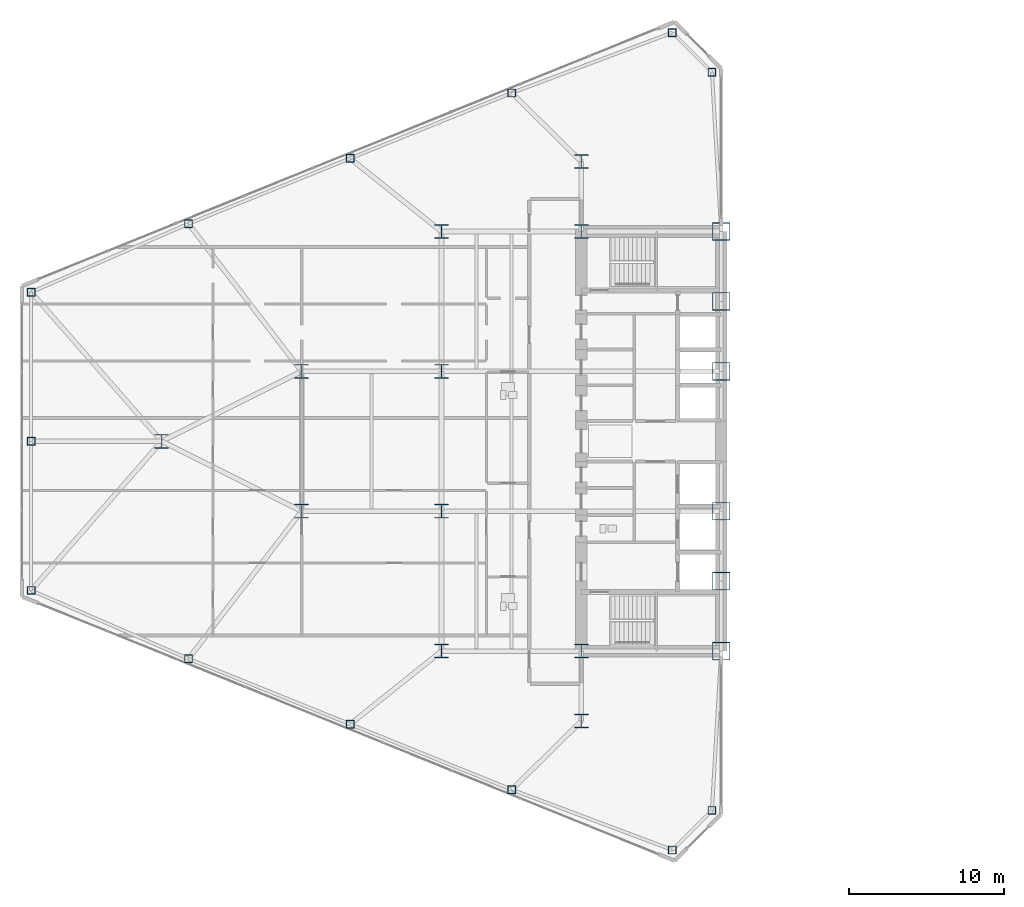
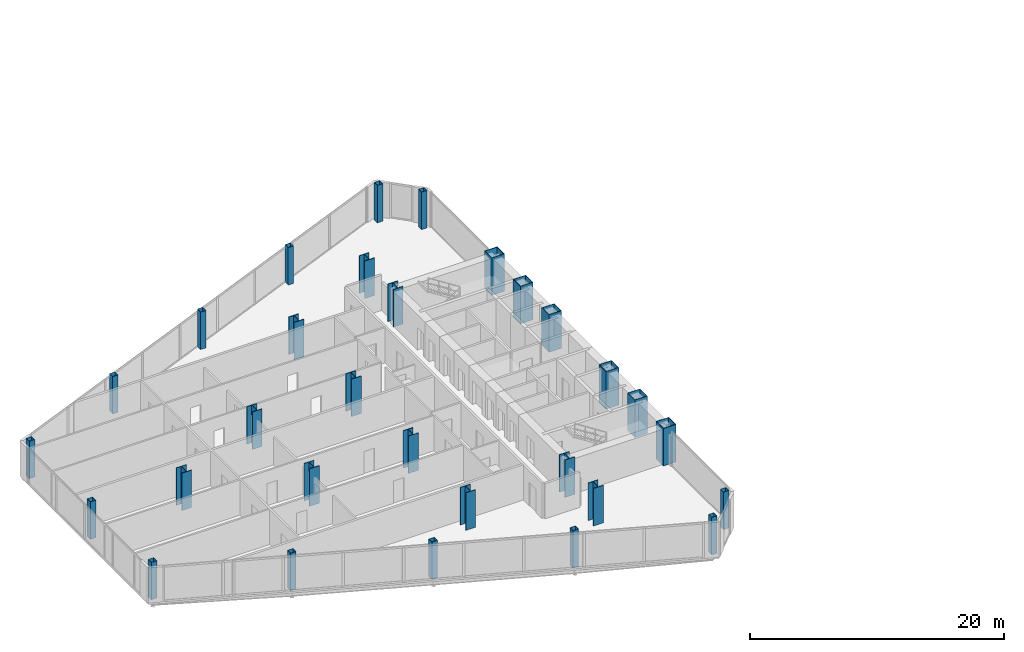
# One storey, part 1 of 25: 30 columns.
"""IFC4 building model written with IfcOpenShell, lengths in metres."""

from ifc_helpers import new_model, si_unit, direction, frame, origin, origin_2d, place, context, subcontext, project, spatial, hollow_rectangle, i_section, extrude, source, transform, mapped, material, material_profile, profile_set, type_object, type_shapes, element, save


model = new_model("IFC4")

# Units and contexts
model_context = context("Model", 3, precision=1e-05, world=origin(), true_north=direction((0.0, 1.0)))
body_context = subcontext(model_context, "Body", "Model", "MODEL_VIEW")
ifc_project = project(units=[si_unit("LENGTHUNIT", "METRE"), si_unit("AREAUNIT", "SQUARE_METRE"), si_unit("VOLUMEUNIT", "CUBIC_METRE"), si_unit("PLANEANGLEUNIT", "RADIAN"), si_unit("MASSUNIT", "GRAM", prefix="KILO")], contexts=[model_context])

# Site, building, storey
site_placement = place(None, origin())
site = spatial("IfcSite", under=ifc_project, at=site_placement, CompositionType="ELEMENT")
building_placement = place(site_placement, origin())
building = spatial("IfcBuilding", under=site, at=building_placement, Name="Seokmaru Belvedere", CompositionType="ELEMENT")
storey_placement = place(building_placement, frame((0.0, 0.0, 54.89990234375)))
storey = spatial("IfcBuildingStorey", under=building, at=storey_placement, Name="L14", CompositionType="ELEMENT", Elevation=54.89990234375)

# Columns
ifc_material_1 = material(Name="Steel HSA650 (650 MPa)", Category="steel")
ifc_material_profile_1 = material_profile(ifc_material_1, hollow_rectangle(XDim=1.14990234375, YDim=1.14990234375, WallThickness=0.048095703125, at=origin_2d()), Name="BOX-1150x1150x48")
ifc_profile_set_1 = profile_set([ifc_material_profile_1], Name="Steel HSA650 (650 MPa)")
column_type_1 = type_object("IfcColumnType", Name="Portal Spine Column BOX-1150", PredefinedType="COLUMN", material=ifc_profile_set_1)
shared_shape_1 = source(origin(), body_context, "Body", "SweptSolid", [
    extrude(hollow_rectangle(XDim=1.14990234375, YDim=1.14990234375, WallThickness=0.048095703125, at=origin_2d()), origin(), (0.0, 0.0, 1.0), 3.60009765625),
])
type_shapes(column_type_1, [shared_shape_1])
for number, where, z_axis, x_axis, name in (
    (1, (-27.5, -13.5, 0.0), (0.0, 0.0, 1.0), (1.0, 0.0, 0.0), "L14 Column WS1"),
    (2, (-27.5, -9.0, 0.0), (0.0, 0.0, 1.0), (1.0, 0.0, 0.0), "L14 Column WS2"),
    (3, (-27.5, -4.5, 0.0), (0.0, 0.0, 1.0), (1.0, 0.0, 0.0), "L14 Column WS3"),
    (4, (-27.5, 4.5, 0.0), (0.0, 0.0, 1.0), (1.0, 0.0, 0.0), "L14 Column WS4"),
    (5, (-27.5, 9.0, 0.0), (0.0, 0.0, 1.0), (1.0, 0.0, 0.0), "L14 Column WS5"),
    (6, (-27.5, 13.5, 0.0), (0.0, 0.0, 1.0), (1.0, 0.0, 0.0), "L14 Column WS6"),
):
    element("IfcColumn", number, at=place(storey_placement, frame(where, z_axis=z_axis, x_axis=x_axis)), inside=storey, type_object=column_type_1, Name=name, PredefinedType="COLUMN", context=body_context, shape_type="MappedRepresentation", body=[
        mapped(shared_shape_1, transform((0.0, 0.0, 0.0), scale=1.0)),
    ])
ifc_material_profile_2 = material_profile(ifc_material_1, i_section(OverallWidth=0.89990234375, OverallDepth=0.89990234375, WebThickness=0.035888671875, FlangeThickness=0.054931640625, at=origin_2d()), Name="H-900x900x36x55")
ifc_profile_set_2 = profile_set([ifc_material_profile_2], Name="Steel HSA650 (650 MPa)")
column_type_2 = type_object("IfcColumnType", Name="Lower Interior Column H-900", PredefinedType="COLUMN", material=ifc_profile_set_2)
shared_shape_2 = source(origin(), body_context, "Body", "SweptSolid", [
    extrude(i_section(OverallWidth=0.89990234375, OverallDepth=0.89990234375, WebThickness=0.035888671875, FlangeThickness=0.054931640625, at=origin_2d()), origin(), (0.0, 0.0, 1.0), 3.60009765625),
])
type_shapes(column_type_2, [shared_shape_2])
for number, where, z_axis, x_axis, name in (
    (7, (-36.5, -18.0, 0.0), (0.0, 0.0, 1.0), (1.0, 0.0, 0.0), "L14 Column WC1"),
    (8, (-36.5, -13.5, 0.0), (0.0, 0.0, 1.0), (1.0, 0.0, 0.0), "L14 Column WC2"),
    (9, (-36.5, 13.5, 0.0), (0.0, 0.0, 1.0), (1.0, 0.0, 0.0), "L14 Column WC3"),
    (10, (-36.5, 18.0, 0.0), (0.0, 0.0, 1.0), (1.0, 0.0, 0.0), "L14 Column WC4"),
    (11, (-45.5, -13.5, 0.0), (0.0, 0.0, 1.0), (1.0, 0.0, 0.0), "L14 Column WG5_1"),
    (12, (-45.5, -4.5, 0.0), (0.0, 0.0, 1.0), (1.0, 0.0, 0.0), "L14 Column WG5_2"),
    (13, (-45.5, 4.5, 0.0), (0.0, 0.0, 1.0), (1.0, 0.0, 0.0), "L14 Column WG5_3"),
    (14, (-45.5, 13.5, 0.0), (0.0, 0.0, 1.0), (1.0, 0.0, 0.0), "L14 Column WG5_4"),
    (15, (-54.5, -4.5, 0.0), (0.0, 0.0, 1.0), (1.0, 0.0, 0.0), "L14 Column WG4P_1"),
    (16, (-54.5, 4.5, 0.0), (0.0, 0.0, 1.0), (1.0, 0.0, 0.0), "L14 Column WG4P_2"),
    (17, (-63.5, 0.0, 0.0), (0.0, 0.0, 1.0), (1.0, 0.0, 0.0), "L14 Column WG3P_1"),
):
    element("IfcColumn", number, at=place(storey_placement, frame(where, z_axis=z_axis, x_axis=x_axis)), inside=storey, type_object=column_type_2, Name=name, PredefinedType="COLUMN", context=body_context, shape_type="MappedRepresentation", body=[
        mapped(shared_shape_2, transform((0.0, 0.0, 0.0), scale=1.0)),
    ])
ifc_material_2 = material(Name="Steel SM355 (355 MPa)", Category="steel")
ifc_material_profile_3 = material_profile(ifc_material_2, hollow_rectangle(XDim=0.5, YDim=0.5, WallThickness=0.02001953125, at=origin_2d()), Name="HSS-500x500x20")
ifc_profile_set_3 = profile_set([ifc_material_profile_3], Name="Steel SM355 (355 MPa)")
column_type_3 = type_object("IfcColumnType", Name="Perimeter Facet Column HSS-500", PredefinedType="COLUMN", material=ifc_profile_set_3)
shared_shape_3 = source(origin(), body_context, "Body", "SweptSolid", [
    extrude(hollow_rectangle(XDim=0.5, YDim=0.5, WallThickness=0.02001953125, at=origin_2d()), origin(), (0.0, 0.0, 1.0), 3.60009765625),
])
type_shapes(column_type_3, [shared_shape_3])
for number, where, z_axis, x_axis, name in (
    (18, (-28.10009765625, -23.75146484375, 0.0), (0.0, 0.0, 1.0), (1.0, 0.0, 0.0), "L14 Column WF1"),
    (19, (-28.10009765625, 23.75146484375, 0.0), (0.0, 0.0, 1.0), (1.0, 0.0, 0.0), "L14 Column WF2"),
    (20, (-30.643310546875, 26.294677734375, 0.0), (0.0, 0.0, 1.0), (1.0, 0.0, 0.0), "L14 Column WF3"),
    (21, (-71.89990234375, 9.595703125, 0.0), (0.0, 0.0, 1.0), (1.0, 0.0, 0.0), "L14 Column WF4"),
    (22, (-71.89990234375, -9.595703125, 0.0), (0.0, 0.0, 1.0), (1.0, 0.0, 0.0), "L14 Column WF5"),
    (23, (-30.643310546875, -26.294677734375, 0.0), (0.0, 0.0, 1.0), (1.0, 0.0, 0.0), "L14 Column WF6"),
    (24, (-40.977294921875, -22.4140625, 0.0), (0.0, 0.0, 1.0), (1.0, 0.0, 0.0), "L14 Column WFLK_S1"),
    (25, (-51.378173828125, -18.2041015625, 0.0), (0.0, 0.0, 1.0), (1.0, 0.0, 0.0), "L14 Column WFLK_S2"),
    (26, (-61.779052734375, -13.994140625, 0.0), (0.0, 0.0, 1.0), (1.0, 0.0, 0.0), "L14 Column WFLK_S3"),
    (27, (-40.977294921875, 22.4140625, 0.0), (0.0, 0.0, 1.0), (1.0, 0.0, 0.0), "L14 Column WFLK_N1"),
    (28, (-51.378173828125, 18.2041015625, 0.0), (0.0, 0.0, 1.0), (1.0, 0.0, 0.0), "L14 Column WFLK_N2"),
    (29, (-61.779052734375, 13.994140625, 0.0), (0.0, 0.0, 1.0), (1.0, 0.0, 0.0), "L14 Column WFLK_N3"),
    (30, (-71.89990234375, 0.0, 0.0), (0.0, 0.0, 1.0), (1.0, 0.0, 0.0), "L14 Column WF_APXM"),
):
    element("IfcColumn", number, at=place(storey_placement, frame(where, z_axis=z_axis, x_axis=x_axis)), inside=storey, type_object=column_type_3, Name=name, PredefinedType="COLUMN", context=body_context, shape_type="MappedRepresentation", body=[
        mapped(shared_shape_3, transform((0.0, 0.0, 0.0), scale=1.0)),
    ])

save(model, "model.ifc")
